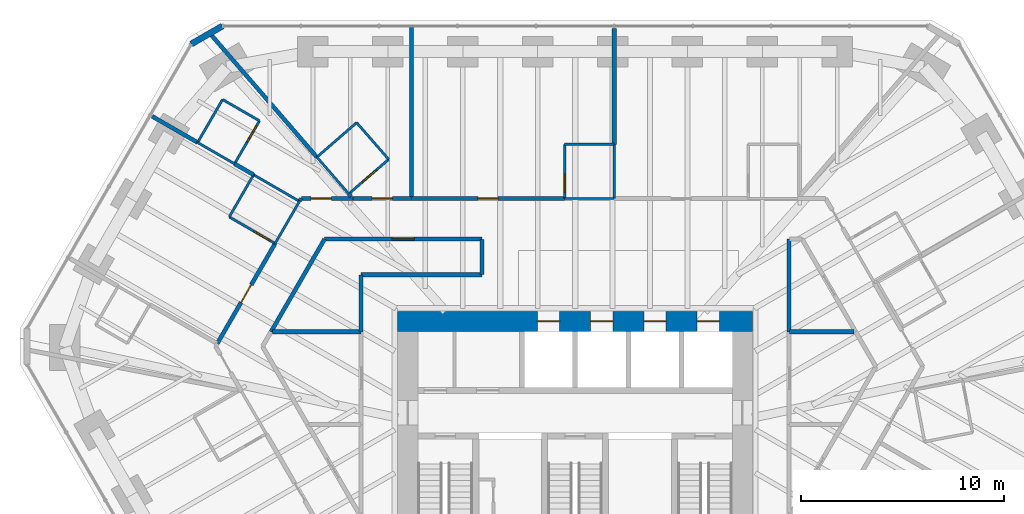
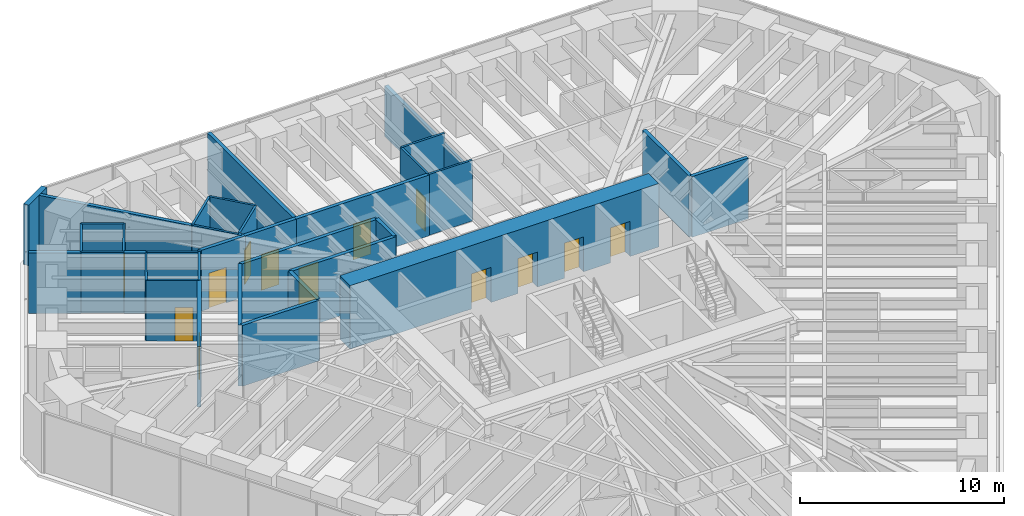
# One storey, part 14 of 16: 37 walls, 13 doors, 13 openings.
"""IFC4 building model written with IfcOpenShell, lengths in metres."""

import ifcopenshell
import ifcopenshell.guid

model = None  # the IFC model being written
_history = None  # IfcOwnerHistory: only IFC2X3 demands one
_inside = {}  # id of a spatial element -> (the spatial element, [elements in it])
_under = {}  # id of a project, library or spatial element -> (it, [spatial elements below it])
_declared = {}  # id of a project -> (the project, [libraries it declares])
_typed = {}  # id of a type object -> (the type object, [elements of that type])
_made_of = {}  # id of a material, layer set ... -> (it, [elements and type objects made of it])


def new_model(schema):
    """Start an empty IFC model of exactly this schema.

    Asked for "IFC4X3", IfcOpenShell would pick the latest addendum, in which some entities
    have other attributes; the version numbers below select the first issue.
    IFC2X3 requires an IfcOwnerHistory on every rooted entity: one is made here for all.
    """
    global model, _history
    if schema == "IFC4X3":
        model = ifcopenshell.file(schema_version=(4, 3, 0, 0))
    else:
        model = ifcopenshell.file(schema=schema)
    _inside.clear()
    _under.clear()
    _declared.clear()
    _typed.clear()
    _made_of.clear()
    _history = None
    if model.schema == "IFC2X3":
        org = make("IfcOrganization", Name="unknown")
        user = make(
            "IfcPersonAndOrganization",
            ThePerson=make("IfcPerson", FamilyName="unknown"),
            TheOrganization=org,
        )
        app = make(
            "IfcApplication",
            ApplicationDeveloper=org,
            Version="unknown",
            ApplicationFullName="unknown",
            ApplicationIdentifier="unknown",
        )
        _history = make(
            "IfcOwnerHistory",
            OwningUser=user,
            OwningApplication=app,
            ChangeAction="ADDED",
            CreationDate=0,
        )
    return model


def make(cls, **values):
    """One entity of the class cls with the attributes given. An attribute that is None is left unset."""
    return model.create_entity(
        cls, **{name: value for name, value in values.items() if value is not None}
    )


def rooted(cls, **values):
    """An entity with a GlobalId (a new one), such as an element, a storey or a relation."""
    return make(cls, GlobalId=ifcopenshell.guid.new(), OwnerHistory=_history, **values)


def si_unit(unit_type, name, prefix=None):
    """IfcSIUnit, for example si_unit("LENGTHUNIT", "METRE", prefix="MILLI")."""
    return make("IfcSIUnit", UnitType=unit_type, Prefix=prefix, Name=name)


def assignment(units):
    """IfcUnitAssignment: the units of a project."""
    return None if units is None else make("IfcUnitAssignment", Units=units)


def point(xyz):
    """IfcCartesianPoint."""
    return None if xyz is None else make("IfcCartesianPoint", Coordinates=xyz)


def direction(xyz):
    """IfcDirection."""
    return None if xyz is None else make("IfcDirection", DirectionRatios=xyz)


def frame(location, z_axis=None, x_axis=None):
    """IfcAxis2Placement3D, a coordinate frame: its origin and axes. An axis left out is left unset."""
    return make(
        "IfcAxis2Placement3D",
        Location=point(location),
        Axis=direction(z_axis),
        RefDirection=direction(x_axis),
    )


def frame_2d(location, x_axis=None):
    """IfcAxis2Placement2D, a coordinate frame in the plane: its origin and x axis."""
    return make(
        "IfcAxis2Placement2D", Location=point(location), RefDirection=direction(x_axis)
    )


def origin():
    """The frame at (0, 0, 0) with its axes left unset."""
    return frame((0.0, 0.0, 0.0))


def place(relative_to, where):
    """IfcLocalPlacement: puts the frame where relative to a parent placement (None: the world)."""
    return make(
        "IfcLocalPlacement", PlacementRelTo=relative_to, RelativePlacement=where
    )


def context(
    kind, dimensions, precision=None, world=None, true_north=None, identifier=None
):
    """IfcGeometricRepresentationContext, for example the 3D "Model" context."""
    return make(
        "IfcGeometricRepresentationContext",
        ContextIdentifier=identifier,
        ContextType=kind,
        CoordinateSpaceDimension=dimensions,
        Precision=precision,
        WorldCoordinateSystem=world,
        TrueNorth=true_north,
    )


def subcontext(parent, identifier, kind, view, scale=None):
    """IfcGeometricRepresentationSubContext, for example "Body" below "Model"."""
    return make(
        "IfcGeometricRepresentationSubContext",
        ContextIdentifier=identifier,
        ContextType=kind,
        ParentContext=parent,
        TargetScale=scale,
        TargetView=view,
    )


def project(units=None, contexts=None):
    """IfcProject with its units and contexts."""
    return rooted(
        "IfcProject",
        Name="project",
        RepresentationContexts=contexts,
        UnitsInContext=assignment(units),
    )


def spatial(cls, under=None, at=None, **own):
    """A site, building, storey or space (cls), placed at a placement, below another one or the project."""
    s = rooted(cls, ObjectPlacement=at, **own)
    if under is not None:
        _under.setdefault(under.id(), (under, []))[1].append(s)
    return s


def profile(cls, at=None, kind="AREA", **sizes):
    """A parametric profile (cls). Its sizes go by their IFC names, for example OverallWidth=200.0."""
    return make(cls, ProfileType=kind, Position=at, **sizes)


def rectangle(**sizes):
    """IfcRectangleProfileDef."""
    return profile("IfcRectangleProfileDef", **sizes)


def extrude(swept, where, along, depth):
    """IfcExtrudedAreaSolid: the profile swept, set in the frame where, extruded along a direction by depth."""
    return make(
        "IfcExtrudedAreaSolid",
        SweptArea=swept,
        Position=where,
        ExtrudedDirection=direction(along),
        Depth=depth,
    )


def shape(context_of_items, identifier, shape_type, items):
    """IfcShapeRepresentation: the items that make up one representation, for example the "Body"."""
    return make(
        "IfcShapeRepresentation",
        ContextOfItems=context_of_items,
        RepresentationIdentifier=identifier,
        RepresentationType=shape_type,
        Items=items,
    )


def material(Name=None, Category=None):
    """IfcMaterial."""
    return make("IfcMaterial", Name=Name, Category=Category)


def layer(
    of_material, thickness, ventilated=None, Name=None, Category=None, Priority=None
):
    """IfcMaterialLayer: one layer of a wall or slab, of a material (None: an air gap)."""
    return make(
        "IfcMaterialLayer",
        Material=of_material,
        LayerThickness=thickness,
        IsVentilated=ventilated,
        Name=Name,
        Category=Category,
        Priority=Priority,
    )


def layer_set(layers, Name=None):
    """IfcMaterialLayerSet."""
    return make("IfcMaterialLayerSet", MaterialLayers=layers, LayerSetName=Name)


def made_of(thing, what):
    """Note that an element or type object is made of a material, layer set ...; save() writes the relation."""
    if what is not None:
        _made_of.setdefault(what.id(), (what, []))[1].append(thing)
    return thing


def type_object(cls, material=None, **own):
    """A type object (cls), such as IfcWallType, which elements share."""
    return made_of(rooted(cls, **own), material)


def element(
    cls,
    number,
    at=None,
    inside=None,
    cuts=None,
    type_object=None,
    material=None,
    context=None,
    identifier="Body",
    shape_type=None,
    held_by="IfcProductDefinitionShape",
    body=None,
    shapes=None,
    **own,
):
    """One element of the class cls, such as IfcWall. Its Tag is "e" and its number.

    at: its placement. inside: the storey or other place that contains it. cuts: it is an
    opening in that element (IfcRelVoidsElement). A single representation is given by context,
    identifier, shape_type and body (its items); several are given by shapes. held_by: the class
    of the entity that holds the representations. save() writes the other relations.
    """
    e = rooted(cls, Tag="e%d" % number, ObjectPlacement=at, **own)
    if body is not None:
        shapes = [shape(context, identifier, shape_type, body)]
    if shapes is not None:
        e.Representation = make(held_by, Representations=shapes)
    if inside is not None:
        _inside.setdefault(inside.id(), (inside, []))[1].append(e)
    if cuts is not None:
        rooted(
            "IfcRelVoidsElement", RelatingBuildingElement=cuts, RelatedOpeningElement=e
        )
    if type_object is not None:
        _typed.setdefault(type_object.id(), (type_object, []))[1].append(e)
    return made_of(e, material)


def fill(opening, filler):
    """IfcRelFillsElement: the door or window that sits in an opening."""
    return rooted(
        "IfcRelFillsElement",
        RelatingOpeningElement=opening,
        RelatedBuildingElement=filler,
    )


def aggregate(whole, parts):
    """IfcRelAggregates: a whole, such as a stair, and the parts it consists of."""
    return rooted("IfcRelAggregates", RelatingObject=whole, RelatedObjects=parts)


def save(model, path):
    """Write the relations noted so far, then the file.

    IfcRelAggregates (storeys below a building ...), IfcRelContainedInSpatialStructure (elements
    in a storey), IfcRelDefinesByType, IfcRelAssociatesMaterial and IfcRelDeclares: one each for
    every whole, place, type object, material and project.
    """
    for whole, parts in _under.values():
        aggregate(whole, parts)
    for where, things in _inside.values():
        rooted(
            "IfcRelContainedInSpatialStructure",
            RelatedElements=things,
            RelatingStructure=where,
        )
    for kind, things in _typed.values():
        rooted("IfcRelDefinesByType", RelatedObjects=things, RelatingType=kind)
    for what, things in _made_of.values():
        rooted("IfcRelAssociatesMaterial", RelatedObjects=things, RelatingMaterial=what)
    for by, libraries in _declared.values():
        rooted("IfcRelDeclares", RelatingContext=by, RelatedDefinitions=libraries)
    model.write(path)


model = new_model("IFC4")

# Units and contexts
model_context = context("Model", 3, precision=1e-05, world=origin(), true_north=direction((0.0, 1.0)))
body_context = subcontext(model_context, "Body", "Model", "MODEL_VIEW")
ifc_project = project(units=[si_unit("LENGTHUNIT", "METRE"), si_unit("AREAUNIT", "SQUARE_METRE"), si_unit("VOLUMEUNIT", "CUBIC_METRE"), si_unit("PLANEANGLEUNIT", "RADIAN"), si_unit("MASSUNIT", "GRAM", prefix="KILO")], contexts=[model_context])

# Site, building, storey
site_placement = place(None, origin())
site = spatial("IfcSite", under=ifc_project, at=site_placement, CompositionType="ELEMENT")
building_placement = place(site_placement, origin())
building = spatial("IfcBuilding", under=site, at=building_placement, Name="Sandreach Pilgrim Tower", CompositionType="ELEMENT")
storey_placement = place(building_placement, frame((0.0, 0.0, 209.800048828125)))
storey = spatial("IfcBuildingStorey", under=building, at=storey_placement, Name="L52", CompositionType="ELEMENT", Elevation=209.800048828125)

# Walls
ifc_material_1 = material(Name="Moisture-resistant gypsum board on steel studs", Category="steel")
ifc_layer_1 = layer(ifc_material_1, 0.1201171875)
ifc_layer_set_1 = layer_set([ifc_layer_1], Name="Bathroom partition 120")
wall_type_1 = type_object("IfcWallType", Name="Bathroom partition 120", PredefinedType="PARTITIONING", material=ifc_layer_set_1)
wall_1_placement = place(storey_placement, frame((-18.610107421875, 15.419921875, 0.0), z_axis=(0.0, 0.0, 1.0), x_axis=(0.86618365172, -0.499725806311, 0.0)))
element("IfcWall", 1, at=wall_1_placement, inside=storey, type_object=wall_type_1, Name="Bathroom partition L52-011", PredefinedType="PARTITIONING", context=body_context, shape_type="SweptSolid", body=[
    extrude(rectangle(XDim=2.101318359375, YDim=0.1201171875, at=frame_2d((1.05078125, 0.0))), origin(), (0.0, 0.0, 1.0), 3.639892578125),
])
wall_2_placement = place(storey_placement, frame((-17.3798828125, 17.5400390625, 0.0), z_axis=(0.0, 0.0, 1.0), x_axis=(-0.501888006485, -0.864932615264, 0.0)))
element("IfcWall", 2, at=wall_2_placement, inside=storey, type_object=wall_type_1, Name="Bathroom partition L52-016", PredefinedType="PARTITIONING", context=body_context, shape_type="SweptSolid", body=[
    extrude(rectangle(XDim=2.451171875, YDim=0.1201171875, at=frame_2d((1.2255859375, 0.0))), origin(), (0.0, 0.0, 1.0), 3.639892578125),
])

# Wall, opening, door
wall_3_placement = place(storey_placement, frame((-17.050048828125, 11.75, 0.0), z_axis=(0.0, 0.0, 1.0), x_axis=(0.865155281359, -0.50150407689, 0.0)))
wall_3 = element("IfcWall", 3, at=wall_3_placement, inside=storey, type_object=wall_type_1, Name="Bathroom partition L52-017", PredefinedType="PARTITIONING", context=body_context, shape_type="SweptSolid", body=[
    extrude(rectangle(XDim=2.6123046875, YDim=0.1201171875, at=frame_2d((1.30615234375, 0.0))), origin(), (0.0, 0.0, 1.0), 3.639892578125),
])
opening_1_placement = place(wall_3_placement, frame((1.412109375, 0.0, 0.0)))
opening_1 = element("IfcOpeningElement", 4, at=opening_1_placement, cuts=wall_3, Name="Opening D09-16B", PredefinedType="OPENING", context=body_context, shape_type="SweptSolid", body=[
    extrude(rectangle(XDim=0.89990234375, YDim=2.030029296875, at=frame_2d((0.449951171875, 1.01513671875))), frame((0.0, 0.06005859375, 0.0), z_axis=(0.0, -1.0, 0.0), x_axis=(1.0, 0.0, 0.0)), (0.0, 0.0, 1.0), 0.1201171875),
])
ifc_material_2 = material(Name="Timber door, steel frame", Category="steel")
door_type_1 = type_object("IfcDoorType", Name="Bathroom door", OperationType="SINGLE_SWING_LEFT", PredefinedType="DOOR", material=ifc_material_2)
door_1_placement = place(opening_1_placement, origin())
door_1 = element("IfcDoor", 5, at=door_1_placement, inside=storey, type_object=door_type_1, Name="Door 5216B", OperationType="SINGLE_SWING_RIGHT", OverallHeight=2.030029296875, OverallWidth=0.89990234375, PredefinedType="DOOR", context=body_context, shape_type="SweptSolid", body=[
    extrude(rectangle(XDim=0.89990234375, YDim=2.030029296875, at=frame_2d((0.449951171875, 1.01513671875))), frame((0.0, 0.02490234375, 0.0), z_axis=(0.0, -1.0, 0.0), x_axis=(1.0, 0.0, 0.0)), (0.0, 0.0, 1.0), 0.050048828125),
])
fill(opening_1, door_1)

wall_4_placement = place(storey_placement, frame((-16.7900390625, 14.3701171875, 0.0), z_axis=(0.0, 0.0, 1.0), x_axis=(0.501856726365, 0.86495076519, 0.0)))
wall_4 = element("IfcWall", 6, at=wall_4_placement, inside=storey, type_object=wall_type_1, Name="Bathroom partition L52-019", PredefinedType="PARTITIONING", context=body_context, shape_type="SweptSolid", body=[
    extrude(rectangle(XDim=2.450927734375, YDim=0.1201171875, at=frame_2d((1.2255859375, 0.0))), origin(), (0.0, 0.0, 1.0), 3.639892578125),
])
opening_2_placement = place(wall_4_placement, frame((1.2509765625, 0.0, 0.0)))
opening_2 = element("IfcOpeningElement", 7, at=opening_2_placement, cuts=wall_4, Name="Opening D09-17B", PredefinedType="OPENING", context=body_context, shape_type="SweptSolid", body=[
    extrude(rectangle(XDim=0.89990234375, YDim=2.030029296875, at=frame_2d((0.449951171875, 1.01513671875))), frame((0.0, 0.06005859375, 0.0), z_axis=(0.0, -1.0, 0.0), x_axis=(1.0, 0.0, 0.0)), (0.0, 0.0, 1.0), 0.1201171875),
])
door_2_placement = place(opening_2_placement, origin())
door_2 = element("IfcDoor", 8, at=door_2_placement, inside=storey, type_object=door_type_1, Name="Door 5217B", OperationType="SINGLE_SWING_RIGHT", OverallHeight=2.030029296875, OverallWidth=0.89990234375, PredefinedType="DOOR", context=body_context, shape_type="SweptSolid", body=[
    extrude(rectangle(XDim=0.89990234375, YDim=2.030029296875, at=frame_2d((0.449951171875, 1.01513671875))), frame((0.0, 0.02490234375, 0.0), z_axis=(0.0, -1.0, 0.0), x_axis=(1.0, 0.0, 0.0)), (0.0, 0.0, 1.0), 0.050048828125),
])
fill(opening_2, door_2)

# Walls
wall_5_placement = place(storey_placement, frame((-15.85009765625, 13.830078125, 0.0), z_axis=(0.0, 0.0, 1.0), x_axis=(-0.499693115345, -0.866202511239, 0.0)))
element("IfcWall", 9, at=wall_5_placement, inside=storey, type_object=wall_type_1, Name="Bathroom partition L52-023", PredefinedType="PARTITIONING", context=body_context, shape_type="SweptSolid", body=[
    extrude(rectangle(XDim=2.4013671875, YDim=0.1201171875, at=frame_2d((1.20068359375, 0.0))), origin(), (0.0, 0.0, 1.0), 3.639892578125),
])
wall_6_placement = place(storey_placement, frame((-15.85009765625, 13.830078125, 0.0), z_axis=(0.0, 0.0, 1.0), x_axis=(0.865155281359, -0.50150407689, 0.0)))
element("IfcWall", 10, at=wall_6_placement, inside=storey, type_object=wall_type_1, Name="Bathroom partition L52-024", PredefinedType="PARTITIONING", context=body_context, shape_type="SweptSolid", body=[
    extrude(rectangle(XDim=2.6123046875, YDim=0.1201171875, at=frame_2d((1.30615234375, 0.0))), origin(), (0.0, 0.0, 1.0), 3.639892578125),
])
wall_7_placement = place(storey_placement, frame((-15.56005859375, 16.489990234375, 0.0), z_axis=(0.0, 0.0, 1.0), x_axis=(-0.86618365172, 0.499725806311, 0.0)))
element("IfcWall", 11, at=wall_7_placement, inside=storey, type_object=wall_type_1, Name="Bathroom partition L52-025", PredefinedType="PARTITIONING", context=body_context, shape_type="SweptSolid", body=[
    extrude(rectangle(XDim=2.101318359375, YDim=0.1201171875, at=frame_2d((1.05078125, 0.0))), origin(), (0.0, 0.0, 1.0), 3.639892578125),
])
wall_8_placement = place(storey_placement, frame((-14.7919921875, 10.441162109375, 0.0), z_axis=(0.0, 0.0, 1.0), x_axis=(0.501340276177, 0.865250210912, 0.0)))
element("IfcWall", 12, at=wall_8_placement, inside=storey, type_object=wall_type_1, Name="Bathroom partition L52-030", PredefinedType="PARTITIONING", context=body_context, shape_type="SweptSolid", body=[
    extrude(rectangle(XDim=2.437255859375, YDim=0.1201171875, at=frame_2d((1.21875, 0.0))), origin(), (0.0, 0.0, 1.0), 3.639892578125),
])
wall_9_placement = place(storey_placement, frame((-12.72998046875, 14.699951171875, 0.0), z_axis=(0.0, 0.0, 1.0), x_axis=(0.655302876176, -0.755366229372, 0.0)))
element("IfcWall", 13, at=wall_9_placement, inside=storey, type_object=wall_type_1, Name="Bathroom partition L52-037", PredefinedType="PARTITIONING", context=body_context, shape_type="SweptSolid", body=[
    extrude(rectangle(XDim=2.39599609375, YDim=0.1201171875, at=frame_2d((1.197998046875, 0.0))), origin(), (0.0, 0.0, 1.0), 3.639892578125),
])

# Wall, opening, door
wall_10_placement = place(storey_placement, frame((-11.159912109375, 12.889892578125, 0.0), z_axis=(0.0, 0.0, 1.0), x_axis=(0.757040252764, 0.65336823897, 0.0)))
wall_10 = element("IfcWall", 14, at=wall_10_placement, inside=storey, type_object=wall_type_1, Name="Bathroom partition L52-041", PredefinedType="PARTITIONING", context=body_context, shape_type="SweptSolid", body=[
    extrude(rectangle(XDim=2.602294921875, YDim=0.1201171875, at=frame_2d((1.30126953125, 0.0))), origin(), (0.0, 0.0, 1.0), 3.639892578125),
])
opening_3_placement = place(wall_10_placement, frame((0.89990234375, 0.0, 0.0)))
opening_3 = element("IfcOpeningElement", 15, at=opening_3_placement, cuts=wall_10, Name="Opening D09-01B", PredefinedType="OPENING", context=body_context, shape_type="SweptSolid", body=[
    extrude(rectangle(XDim=0.89990234375, YDim=2.030029296875, at=frame_2d((0.449951171875, 1.01513671875))), frame((0.0, 0.06005859375, 0.0), z_axis=(0.0, -1.0, 0.0), x_axis=(1.0, 0.0, 0.0)), (0.0, 0.0, 1.0), 0.1201171875),
])
door_3_placement = place(opening_3_placement, origin())
door_3 = element("IfcDoor", 16, at=door_3_placement, inside=storey, type_object=door_type_1, Name="Door 5201B", OperationType="SINGLE_SWING_RIGHT", OverallHeight=2.030029296875, OverallWidth=0.89990234375, PredefinedType="DOOR", context=body_context, shape_type="SweptSolid", body=[
    extrude(rectangle(XDim=0.89990234375, YDim=2.030029296875, at=frame_2d((0.449951171875, 1.01513671875))), frame((0.0, 0.02490234375, 0.0), z_axis=(0.0, -1.0, 0.0), x_axis=(1.0, 0.0, 0.0)), (0.0, 0.0, 1.0), 0.050048828125),
])
fill(opening_3, door_3)

# Walls
wall_11_placement = place(storey_placement, frame((-10.77001953125, 16.39990234375, 0.0), z_axis=(0.0, 0.0, 1.0), x_axis=(-0.755437535555, -0.655220672655, 0.0)))
element("IfcWall", 17, at=wall_11_placement, inside=storey, type_object=wall_type_1, Name="Bathroom partition L52-043", PredefinedType="PARTITIONING", context=body_context, shape_type="SweptSolid", body=[
    extrude(rectangle(XDim=2.594482421875, YDim=0.1201171875, at=frame_2d((1.29736328125, 0.0))), origin(), (0.0, 0.0, 1.0), 3.639892578125),
])
wall_12_placement = place(storey_placement, frame((-9.18994140625, 14.590087890625, 0.0), z_axis=(0.0, 0.0, 1.0), x_axis=(-0.65767687105, 0.75330016148, 0.0)))
element("IfcWall", 18, at=wall_12_placement, inside=storey, type_object=wall_type_1, Name="Bathroom partition L52-050", PredefinedType="PARTITIONING", context=body_context, shape_type="SweptSolid", body=[
    extrude(rectangle(XDim=2.402587890625, YDim=0.1201171875, at=frame_2d((1.201171875, 0.0))), origin(), (0.0, 0.0, 1.0), 3.639892578125),
])

# Wall, opening, door
wall_13_placement = place(storey_placement, frame((-0.52001953125, 15.330078125, 0.0), z_axis=(0.0, 0.0, 1.0), x_axis=(0.0, -1.0, 0.0)))
wall_13 = element("IfcWall", 19, at=wall_13_placement, inside=storey, type_object=wall_type_1, Name="Bathroom partition L52-081", PredefinedType="PARTITIONING", context=body_context, shape_type="SweptSolid", body=[
    extrude(rectangle(XDim=2.670166015625, YDim=0.1201171875, at=frame_2d((1.3349609375, 0.0))), origin(), (0.0, 0.0, 1.0), 3.639892578125),
])
opening_4_placement = place(wall_13_placement, frame((1.469970703125, 0.0, 0.0)))
opening_4 = element("IfcOpeningElement", 20, at=opening_4_placement, cuts=wall_13, Name="Opening D09-02B", PredefinedType="OPENING", context=body_context, shape_type="SweptSolid", body=[
    extrude(rectangle(XDim=0.89990234375, YDim=2.030029296875, at=frame_2d((0.449951171875, 1.01513671875))), frame((0.0, 0.06005859375, 0.0), z_axis=(0.0, -1.0, 0.0), x_axis=(1.0, 0.0, 0.0)), (0.0, 0.0, 1.0), 0.1201171875),
])
door_4_placement = place(opening_4_placement, origin())
door_4 = element("IfcDoor", 21, at=door_4_placement, inside=storey, type_object=door_type_1, Name="Door 5202B", OperationType="SINGLE_SWING_RIGHT", OverallHeight=2.030029296875, OverallWidth=0.89990234375, PredefinedType="DOOR", context=body_context, shape_type="SweptSolid", body=[
    extrude(rectangle(XDim=0.89990234375, YDim=2.030029296875, at=frame_2d((0.449951171875, 1.01513671875))), frame((0.0, 0.02490234375, 0.0), z_axis=(0.0, -1.0, 0.0), x_axis=(1.0, 0.0, 0.0)), (0.0, 0.0, 1.0), 0.050048828125),
])
fill(opening_4, door_4)

# Walls
for number, where, z_axis, x_axis, name in (
    (22, (1.929931640625, 12.659912109375, 0.0), (0.0, 0.0, 1.0), (-1.0, 0.0, 0.0), "Bathroom partition L52-084"),
    (23, (1.929931640625, 15.330078125, 0.0), (0.0, 0.0, 1.0), (-1.0, 0.0, 0.0), "Bathroom partition L52-085"),
):
    element("IfcWall", number, at=place(storey_placement, frame(where, z_axis=z_axis, x_axis=x_axis)), inside=storey, type_object=wall_type_1, Name=name, PredefinedType="PARTITIONING", context=body_context, shape_type="SweptSolid", body=[
        extrude(rectangle(XDim=2.449951171875, YDim=0.1201171875, at=frame_2d((1.22509765625, 0.0))), origin(), (0.0, 0.0, 1.0), 3.639892578125),
    ])
wall_14_placement = place(storey_placement, frame((1.929931640625, 15.330078125, 0.0), z_axis=(0.0, 0.0, 1.0), x_axis=(0.0, -1.0, 0.0)))
element("IfcWall", 24, at=wall_14_placement, inside=storey, type_object=wall_type_1, Name="Bathroom partition L52-086", PredefinedType="PARTITIONING", context=body_context, shape_type="SweptSolid", body=[
    extrude(rectangle(XDim=2.670166015625, YDim=0.1201171875, at=frame_2d((1.3349609375, 0.0))), origin(), (0.0, 0.0, 1.0), 3.022705078125),
])

# Wall, openings, doors
ifc_material_3 = material(Name="Concrete 10000 psi", Category="concrete")
ifc_layer_2 = layer(ifc_material_3, 1.0)
ifc_layer_set_2 = layer_set([ifc_layer_2], Name="Core wall 1000")
wall_type_2 = type_object("IfcWallType", Name="Core wall 1000", PredefinedType="SHEAR", material=ifc_layer_set_2)
wall_15_placement = place(storey_placement, frame((-8.75, 6.60009765625, 0.0), z_axis=(0.0, 0.0, 1.0), x_axis=(1.0, 0.0, 0.0)))
wall_15 = element("IfcWall", 25, at=wall_15_placement, inside=storey, type_object=wall_type_2, Name="Core wall N L52", PredefinedType="SHEAR", context=body_context, shape_type="SweptSolid", body=[
    extrude(rectangle(XDim=17.5, YDim=1.0, at=frame_2d((8.75, 0.0))), origin(), (0.0, 0.0, 1.0), 3.800048828125),
])
opening_5_placement = place(wall_15_placement, frame((6.887451171875, 0.0, 0.0)))
opening_5 = element("IfcOpeningElement", 26, at=opening_5_placement, cuts=wall_15, Name="Opening LD11", PredefinedType="OPENING", context=body_context, shape_type="SweptSolid", body=[
    extrude(rectangle(XDim=1.10009765625, YDim=2.10009765625, at=frame_2d((0.550048828125, 1.050048828125))), frame((0.0, 0.5, 0.0), z_axis=(0.0, -1.0, 0.0), x_axis=(1.0, 0.0, 0.0)), (0.0, 0.0, 1.0), 1.0),
])
opening_6_placement = place(wall_15_placement, frame((9.512451171875, 0.0, 0.0)))
opening_6 = element("IfcOpeningElement", 27, at=opening_6_placement, cuts=wall_15, Name="Opening LD11", PredefinedType="OPENING", context=body_context, shape_type="SweptSolid", body=[
    extrude(rectangle(XDim=1.10009765625, YDim=2.10009765625, at=frame_2d((0.550048828125, 1.050048828125))), frame((0.0, 0.5, 0.0), z_axis=(0.0, -1.0, 0.0), x_axis=(1.0, 0.0, 0.0)), (0.0, 0.0, 1.0), 1.0),
])
opening_7_placement = place(wall_15_placement, frame((12.137451171875, 0.0, 0.0)))
opening_7 = element("IfcOpeningElement", 28, at=opening_7_placement, cuts=wall_15, Name="Opening LD11", PredefinedType="OPENING", context=body_context, shape_type="SweptSolid", body=[
    extrude(rectangle(XDim=1.10009765625, YDim=2.10009765625, at=frame_2d((0.550048828125, 1.050048828125))), frame((0.0, 0.5, 0.0), z_axis=(0.0, -1.0, 0.0), x_axis=(1.0, 0.0, 0.0)), (0.0, 0.0, 1.0), 1.0),
])
opening_8_placement = place(wall_15_placement, frame((14.762451171875, 0.0, 0.0)))
opening_8 = element("IfcOpeningElement", 29, at=opening_8_placement, cuts=wall_15, Name="Opening LD11", PredefinedType="OPENING", context=body_context, shape_type="SweptSolid", body=[
    extrude(rectangle(XDim=1.10009765625, YDim=2.10009765625, at=frame_2d((0.550048828125, 1.050048828125))), frame((0.0, 0.5, 0.0), z_axis=(0.0, -1.0, 0.0), x_axis=(1.0, 0.0, 0.0)), (0.0, 0.0, 1.0), 1.0),
])
ifc_material_4 = material(Name="Steel door and frame", Category="steel")
door_type_2 = type_object("IfcDoorType", Name="Lift landing door", OperationType="DOUBLE_DOOR_SLIDING", PredefinedType="DOOR", material=ifc_material_4)
door_5_placement = place(opening_5_placement, origin())
door_5 = element("IfcDoor", 30, at=door_5_placement, inside=storey, type_object=door_type_2, Name="Lift landing door Z3A L52", OperationType="DOUBLE_DOOR_SLIDING", OverallHeight=2.10009765625, OverallWidth=1.10009765625, PredefinedType="DOOR", context=body_context, shape_type="SweptSolid", body=[
    extrude(rectangle(XDim=1.10009765625, YDim=2.10009765625, at=frame_2d((0.550048828125, 1.050048828125))), frame((0.0, 0.02490234375, 0.0), z_axis=(0.0, -1.0, 0.0), x_axis=(1.0, 0.0, 0.0)), (0.0, 0.0, 1.0), 0.050048828125),
])
fill(opening_5, door_5)
door_6_placement = place(opening_6_placement, origin())
door_6 = element("IfcDoor", 31, at=door_6_placement, inside=storey, type_object=door_type_2, Name="Lift landing door Z3B L52", OperationType="DOUBLE_DOOR_SLIDING", OverallHeight=2.10009765625, OverallWidth=1.10009765625, PredefinedType="DOOR", context=body_context, shape_type="SweptSolid", body=[
    extrude(rectangle(XDim=1.10009765625, YDim=2.10009765625, at=frame_2d((0.550048828125, 1.050048828125))), frame((0.0, 0.02490234375, 0.0), z_axis=(0.0, -1.0, 0.0), x_axis=(1.0, 0.0, 0.0)), (0.0, 0.0, 1.0), 0.050048828125),
])
fill(opening_6, door_6)
door_7_placement = place(opening_7_placement, origin())
door_7 = element("IfcDoor", 32, at=door_7_placement, inside=storey, type_object=door_type_2, Name="Lift landing door Z3C L52", OperationType="DOUBLE_DOOR_SLIDING", OverallHeight=2.10009765625, OverallWidth=1.10009765625, PredefinedType="DOOR", context=body_context, shape_type="SweptSolid", body=[
    extrude(rectangle(XDim=1.10009765625, YDim=2.10009765625, at=frame_2d((0.550048828125, 1.050048828125))), frame((0.0, 0.02490234375, 0.0), z_axis=(0.0, -1.0, 0.0), x_axis=(1.0, 0.0, 0.0)), (0.0, 0.0, 1.0), 0.050048828125),
])
fill(opening_7, door_7)
door_8_placement = place(opening_8_placement, origin())
door_8 = element("IfcDoor", 33, at=door_8_placement, inside=storey, type_object=door_type_2, Name="Lift landing door Z3D L52", OperationType="DOUBLE_DOOR_SLIDING", OverallHeight=2.10009765625, OverallWidth=1.10009765625, PredefinedType="DOOR", context=body_context, shape_type="SweptSolid", body=[
    extrude(rectangle(XDim=1.10009765625, YDim=2.10009765625, at=frame_2d((0.550048828125, 1.050048828125))), frame((0.0, 0.02490234375, 0.0), z_axis=(0.0, -1.0, 0.0), x_axis=(1.0, 0.0, 0.0)), (0.0, 0.0, 1.0), 0.050048828125),
])
fill(opening_8, door_8)

# Wall, opening, door
ifc_material_5 = material(Name="Gypsum board on steel studs, two layers each side", Category="steel")
ifc_layer_3 = layer(ifc_material_5, 0.199951171875)
ifc_layer_set_3 = layer_set([ifc_layer_3], Name="Corridor wall 200")
wall_type_3 = type_object("IfcWallType", Name="Corridor wall 200", PredefinedType="PARTITIONING", material=ifc_layer_set_3)
wall_16_placement = place(storey_placement, frame((-17.639892578125, 5.510009765625, 0.0), z_axis=(0.0, 0.0, 1.0), x_axis=(0.500468304441, 0.865754859212, 0.0)))
wall_16 = element("IfcWall", 34, at=wall_16_placement, inside=storey, type_object=wall_type_3, Name="Corridor wall L52-013", PredefinedType="PARTITIONING", context=body_context, shape_type="SweptSolid", body=[
    extrude(rectangle(XDim=5.6943359375, YDim=0.199951171875, at=frame_2d((2.84716796875, 0.0))), origin(), (0.0, 0.0, 1.0), 3.639892578125),
])
opening_9_placement = place(wall_16_placement, frame((2.347412109375, 0.0, 0.0)))
opening_9 = element("IfcOpeningElement", 35, at=opening_9_placement, cuts=wall_16, Name="Opening D10-16", PredefinedType="OPENING", context=body_context, shape_type="SweptSolid", body=[
    extrude(rectangle(XDim=1.0, YDim=2.1298828125, at=frame_2d((0.5, 1.06494140625))), frame((0.0, 0.10009765625, 0.0), z_axis=(0.0, -1.0, 0.0), x_axis=(1.0, 0.0, 0.0)), (0.0, 0.0, 1.0), 0.199951171875),
])
ifc_material_6 = material(Name="Steel door and frame", Category="steel")
door_type_3 = type_object("IfcDoorType", Name="Guest room entry door", OperationType="SINGLE_SWING_LEFT", PredefinedType="DOOR", material=ifc_material_6)
door_9_placement = place(opening_9_placement, origin())
door_9 = element("IfcDoor", 36, at=door_9_placement, inside=storey, type_object=door_type_3, Name="Door 5216", OperationType="SINGLE_SWING_LEFT", OverallHeight=2.1298828125, OverallWidth=1.0, PredefinedType="DOOR", context=body_context, shape_type="SweptSolid", body=[
    extrude(rectangle(XDim=1.0, YDim=2.1298828125, at=frame_2d((0.5, 1.06494140625))), frame((0.0, 0.02490234375, 0.0), z_axis=(0.0, -1.0, 0.0), x_axis=(1.0, 0.0, 0.0)), (0.0, 0.0, 1.0), 0.050048828125),
])
fill(opening_9, door_9)

# Walls
wall_17_placement = place(storey_placement, frame((-14.989990234375, 6.090087890625, 0.0), z_axis=(0.0, 0.0, 1.0), x_axis=(0.500213626659, 0.86590203124, 0.0)))
element("IfcWall", 37, at=wall_17_placement, inside=storey, type_object=wall_type_3, Name="Corridor wall L52-028", PredefinedType="PARTITIONING", context=body_context, shape_type="SweptSolid", body=[
    extrude(rectangle(XDim=5.277587890625, YDim=0.199951171875, at=frame_2d((2.638671875, 0.0))), origin(), (0.0, 0.0, 1.0), 3.639892578125),
])
wall_18_placement = place(storey_placement, frame((-13.5, 12.659912109375, 0.0), z_axis=(0.0, 0.0, 1.0), x_axis=(-0.537723852201, -0.843121022614, 0.0)))
element("IfcWall", 38, at=wall_18_placement, inside=storey, type_object=wall_type_3, Name="Corridor wall L52-034", PredefinedType="PARTITIONING", context=body_context, shape_type="SweptSolid", body=[
    extrude(rectangle(XDim=0.13037109375, YDim=0.199951171875, at=frame_2d((0.065185546875, 0.0))), origin(), (0.0, 0.0, 1.0), 3.639892578125),
])

# Wall, opening, door
wall_19_placement = place(storey_placement, frame((-12.35009765625, 10.659912109375, 0.0), z_axis=(0.0, 0.0, 1.0), x_axis=(1.0, 0.0, 0.0)))
wall_19 = element("IfcWall", 39, at=wall_19_placement, inside=storey, type_object=wall_type_3, Name="Corridor wall L52-038", PredefinedType="PARTITIONING", context=body_context, shape_type="SweptSolid", body=[
    extrude(rectangle(XDim=7.75, YDim=0.199951171875, at=frame_2d((3.875, 0.0))), origin(), (0.0, 0.0, 1.0), 3.639892578125),
])
opening_10_placement = place(wall_19_placement, frame((3.324951171875, 0.0, 0.0)))
opening_10 = element("IfcOpeningElement", 40, at=opening_10_placement, cuts=wall_19, Name="Opening D11H-M03", PredefinedType="OPENING", context=body_context, shape_type="SweptSolid", body=[
    extrude(rectangle(XDim=1.10009765625, YDim=2.199951171875, at=frame_2d((0.550048828125, 1.10009765625))), frame((0.0, 0.10009765625, 0.0), z_axis=(0.0, -1.0, 0.0), x_axis=(1.0, 0.0, 0.0)), (0.0, 0.0, 1.0), 0.199951171875),
])
ifc_material_7 = material(Name="Steel door and frame", Category="steel")
door_type_4 = type_object("IfcDoorType", Name="Back of house door", OperationType="SINGLE_SWING_LEFT", PredefinedType="DOOR", material=ifc_material_7)
door_10_placement = place(opening_10_placement, origin())
door_10 = element("IfcDoor", 41, at=door_10_placement, inside=storey, type_object=door_type_4, Name="Door 52M03", OperationType="SINGLE_SWING_LEFT", OverallHeight=2.199951171875, OverallWidth=1.10009765625, PredefinedType="DOOR", context=body_context, shape_type="SweptSolid", body=[
    extrude(rectangle(XDim=1.10009765625, YDim=2.199951171875, at=frame_2d((0.550048828125, 1.10009765625))), frame((0.0, 0.02490234375, 0.0), z_axis=(0.0, -1.0, 0.0), x_axis=(1.0, 0.0, 0.0)), (0.0, 0.0, 1.0), 0.050048828125),
])
fill(opening_10, door_10)

wall_20_placement = place(storey_placement, frame((-10.9599609375, 12.659912109375, 0.0), z_axis=(0.0, 0.0, 1.0), x_axis=(-1.0, 0.0, 0.0)))
wall_20 = element("IfcWall", 42, at=wall_20_placement, inside=storey, type_object=wall_type_3, Name="Corridor wall L52-042", PredefinedType="PARTITIONING", context=body_context, shape_type="SweptSolid", body=[
    extrude(rectangle(XDim=2.5400390625, YDim=0.199951171875, at=frame_2d((1.27001953125, 0.0))), origin(), (0.0, 0.0, 1.0), 3.639892578125),
])
opening_11_placement = place(wall_20_placement, frame((1.050048828125, 0.0, 0.0)))
opening_11 = element("IfcOpeningElement", 43, at=opening_11_placement, cuts=wall_20, Name="Opening D10-17", PredefinedType="OPENING", context=body_context, shape_type="SweptSolid", body=[
    extrude(rectangle(XDim=1.0, YDim=2.1298828125, at=frame_2d((0.5, 1.06494140625))), frame((0.0, 0.10009765625, 0.0), z_axis=(0.0, -1.0, 0.0), x_axis=(1.0, 0.0, 0.0)), (0.0, 0.0, 1.0), 0.199951171875),
])
door_11_placement = place(opening_11_placement, origin())
door_11 = element("IfcDoor", 44, at=door_11_placement, inside=storey, type_object=door_type_3, Name="Door 5217", OperationType="SINGLE_SWING_RIGHT", OverallHeight=2.1298828125, OverallWidth=1.0, PredefinedType="DOOR", context=body_context, shape_type="SweptSolid", body=[
    extrude(rectangle(XDim=1.0, YDim=2.1298828125, at=frame_2d((0.5, 1.06494140625))), frame((0.0, 0.02490234375, 0.0), z_axis=(0.0, -1.0, 0.0), x_axis=(1.0, 0.0, 0.0)), (0.0, 0.0, 1.0), 0.050048828125),
])
fill(opening_11, door_11)

# Wall
wall_21_placement = place(storey_placement, frame((-10.550048828125, 8.889892578125, 0.0), z_axis=(0.0, 0.0, 1.0), x_axis=(0.0, -1.0, 0.0)))
element("IfcWall", 45, at=wall_21_placement, inside=storey, type_object=wall_type_3, Name="Corridor wall L52-049", PredefinedType="PARTITIONING", context=body_context, shape_type="SweptSolid", body=[
    extrude(rectangle(XDim=2.7998046875, YDim=0.199951171875, at=frame_2d((1.39990234375, 0.0))), origin(), (0.0, 0.0, 1.0), 3.639892578125),
])

# Wall, opening, door
wall_22_placement = place(storey_placement, frame((-8.06005859375, 12.659912109375, 0.0), z_axis=(0.0, 0.0, 1.0), x_axis=(-1.0, 0.0, 0.0)))
wall_22 = element("IfcWall", 46, at=wall_22_placement, inside=storey, type_object=wall_type_3, Name="Corridor wall L52-053", PredefinedType="PARTITIONING", context=body_context, shape_type="SweptSolid", body=[
    extrude(rectangle(XDim=2.89990234375, YDim=0.199951171875, at=frame_2d((1.449951171875, 0.0))), origin(), (0.0, 0.0, 1.0), 3.639892578125),
])
opening_12_placement = place(wall_22_placement, frame((0.949951171875, 0.0, 0.0)))
opening_12 = element("IfcOpeningElement", 47, at=opening_12_placement, cuts=wall_22, Name="Opening D10-01", PredefinedType="OPENING", context=body_context, shape_type="SweptSolid", body=[
    extrude(rectangle(XDim=1.0, YDim=2.1298828125, at=frame_2d((0.5, 1.06494140625))), frame((0.0, 0.10009765625, 0.0), z_axis=(0.0, -1.0, 0.0), x_axis=(1.0, 0.0, 0.0)), (0.0, 0.0, 1.0), 0.199951171875),
])
door_12_placement = place(opening_12_placement, origin())
door_12 = element("IfcDoor", 48, at=door_12_placement, inside=storey, type_object=door_type_3, Name="Door 5201", OperationType="SINGLE_SWING_LEFT", OverallHeight=2.1298828125, OverallWidth=1.0, PredefinedType="DOOR", context=body_context, shape_type="SweptSolid", body=[
    extrude(rectangle(XDim=1.0, YDim=2.1298828125, at=frame_2d((0.5, 1.06494140625))), frame((0.0, 0.02490234375, 0.0), z_axis=(0.0, -1.0, 0.0), x_axis=(1.0, 0.0, 0.0)), (0.0, 0.0, 1.0), 0.050048828125),
])
fill(opening_12, door_12)

# Walls
wall_23_placement = place(storey_placement, frame((-4.60009765625, 8.89990234375, 0.0), z_axis=(0.0, 0.0, 1.0), x_axis=(-1.0, 0.0, 0.0)))
element("IfcWall", 49, at=wall_23_placement, inside=storey, type_object=wall_type_3, Name="Corridor wall L52-063", PredefinedType="PARTITIONING", context=body_context, shape_type="SweptSolid", body=[
    extrude(rectangle(XDim=5.949951171875, YDim=0.199951171875, at=frame_2d((2.97509765625, 0.0))), origin(), (0.0, 0.0, 1.0), 3.639892578125),
])
wall_24_placement = place(storey_placement, frame((-4.60009765625, 10.64990234375, 0.0), z_axis=(0.0, 0.0, 1.0), x_axis=(0.0, -1.0, 0.0)))
element("IfcWall", 50, at=wall_24_placement, inside=storey, type_object=wall_type_3, Name="Corridor wall L52-064", PredefinedType="PARTITIONING", context=body_context, shape_type="SweptSolid", body=[
    extrude(rectangle(XDim=1.739990234375, YDim=0.199951171875, at=frame_2d((0.8701171875, 0.0))), origin(), (0.0, 0.0, 1.0), 3.639892578125),
])

# Wall, opening, door
wall_25_placement = place(storey_placement, frame((-0.52001953125, 12.659912109375, 0.0), z_axis=(0.0, 0.0, 1.0), x_axis=(-1.0, 0.0, 0.0)))
wall_25 = element("IfcWall", 51, at=wall_25_placement, inside=storey, type_object=wall_type_3, Name="Corridor wall L52-080", PredefinedType="PARTITIONING", context=body_context, shape_type="SweptSolid", body=[
    extrude(rectangle(XDim=7.5400390625, YDim=0.199951171875, at=frame_2d((3.77001953125, 0.0))), origin(), (0.0, 0.0, 1.0), 3.639892578125),
])
opening_13_placement = place(wall_25_placement, frame((3.27001953125, 0.0, 0.0)))
opening_13 = element("IfcOpeningElement", 52, at=opening_13_placement, cuts=wall_25, Name="Opening D10-02", PredefinedType="OPENING", context=body_context, shape_type="SweptSolid", body=[
    extrude(rectangle(XDim=1.0, YDim=2.1298828125, at=frame_2d((0.5, 1.06494140625))), frame((0.0, 0.10009765625, 0.0), z_axis=(0.0, -1.0, 0.0), x_axis=(1.0, 0.0, 0.0)), (0.0, 0.0, 1.0), 0.199951171875),
])
door_13_placement = place(opening_13_placement, origin())
door_13 = element("IfcDoor", 53, at=door_13_placement, inside=storey, type_object=door_type_3, Name="Door 5202", OperationType="SINGLE_SWING_LEFT", OverallHeight=2.1298828125, OverallWidth=1.0, PredefinedType="DOOR", context=body_context, shape_type="SweptSolid", body=[
    extrude(rectangle(XDim=1.0, YDim=2.1298828125, at=frame_2d((0.5, 1.06494140625))), frame((0.0, 0.02490234375, 0.0), z_axis=(0.0, -1.0, 0.0), x_axis=(1.0, 0.0, 0.0)), (0.0, 0.0, 1.0), 0.050048828125),
])
fill(opening_13, door_13)

# Walls
wall_26_placement = place(storey_placement, frame((10.550048828125, 6.090087890625, 0.0), z_axis=(0.0, 0.0, 1.0), x_axis=(0.0, 1.0, 0.0)))
element("IfcWall", 54, at=wall_26_placement, inside=storey, type_object=wall_type_3, Name="Corridor wall L52-109", PredefinedType="PARTITIONING", context=body_context, shape_type="SweptSolid", body=[
    extrude(rectangle(XDim=4.56982421875, YDim=0.199951171875, at=frame_2d((2.284912109375, 0.0))), origin(), (0.0, 0.0, 1.0), 3.639892578125),
])
ifc_material_8 = material(Name="Double steel stud acoustic wall, gypsum board", Category="steel")
ifc_layer_4 = layer(ifc_material_8, 0.199951171875)
ifc_layer_set_4 = layer_set([ifc_layer_4], Name="Party wall 200")
wall_type_4 = type_object("IfcWallType", Name="Party wall 200", PredefinedType="PARTITIONING", material=ifc_layer_set_4)
wall_27_placement = place(storey_placement, frame((-20.845947265625, 16.7099609375, 0.0), z_axis=(0.0, 0.0, 1.0), x_axis=(0.866163541035, -0.499760662899, 0.0)))
element("IfcWall", 55, at=wall_27_placement, inside=storey, type_object=wall_type_4, Name="Party wall L52-008", PredefinedType="PARTITIONING", context=body_context, shape_type="SweptSolid", body=[
    extrude(rectangle(XDim=2.581298828125, YDim=0.199951171875, at=frame_2d((1.29052734375, 0.0))), origin(), (0.0, 0.0, 1.0), 3.639892578125),
])
wall_28_placement = place(storey_placement, frame((-18.020263671875, 20.8173828125, 0.0), z_axis=(0.0, 0.0, 1.0), x_axis=(0.654118793629, -0.756391832201, 0.0)))
element("IfcWall", 56, at=wall_28_placement, inside=storey, type_object=wall_type_4, Name="Party wall L52-012", PredefinedType="PARTITIONING", context=body_context, shape_type="SweptSolid", body=[
    extrude(rectangle(XDim=8.087646484375, YDim=0.199951171875, at=frame_2d((4.0439453125, 0.0))), origin(), (0.0, 0.0, 1.0), 3.639892578125),
])
wall_29_placement = place(storey_placement, frame((-16.7900390625, 14.3701171875, 0.0), z_axis=(0.0, 0.0, 1.0), x_axis=(0.867132442133, -0.498077632303, 0.0)))
element("IfcWall", 57, at=wall_29_placement, inside=storey, type_object=wall_type_4, Name="Party wall L52-018", PredefinedType="PARTITIONING", context=body_context, shape_type="SweptSolid", body=[
    extrude(rectangle(XDim=1.084228515625, YDim=0.199951171875, at=frame_2d((0.5419921875, 0.0))), origin(), (0.0, 0.0, 1.0), 3.639892578125),
])
wall_30_placement = place(storey_placement, frame((-14.9150390625, 6.090087890625, 0.0), z_axis=(0.0, 0.0, 1.0), x_axis=(1.0, 0.0, 0.0)))
element("IfcWall", 58, at=wall_30_placement, inside=storey, type_object=wall_type_4, Name="Party wall L52-029", PredefinedType="PARTITIONING", context=body_context, shape_type="SweptSolid", body=[
    extrude(rectangle(XDim=4.35498046875, YDim=0.199951171875, at=frame_2d((2.177490234375, 0.0))), origin(), (0.0, 0.0, 1.0), 3.639892578125),
])
wall_31_placement = place(storey_placement, frame((-11.159912109375, 12.889892578125, 0.0), z_axis=(0.0, 0.0, 1.0), x_axis=(0.655728604214, -0.754996687155, 0.0)))
element("IfcWall", 59, at=wall_31_placement, inside=storey, type_object=wall_type_4, Name="Party wall L52-040", PredefinedType="PARTITIONING", context=body_context, shape_type="SweptSolid", body=[
    extrude(rectangle(XDim=0.174560546875, YDim=0.199951171875, at=frame_2d((0.08740234375, 0.0))), origin(), (0.0, 0.0, 1.0), 3.639892578125),
])
wall_32_placement = place(storey_placement, frame((-8.06005859375, 21.1298828125, 0.0), z_axis=(0.0, 0.0, 1.0), x_axis=(0.0, -1.0, 0.0)))
element("IfcWall", 60, at=wall_32_placement, inside=storey, type_object=wall_type_4, Name="Party wall L52-054", PredefinedType="PARTITIONING", context=body_context, shape_type="SweptSolid", body=[
    extrude(rectangle(XDim=8.4599609375, YDim=0.199951171875, at=frame_2d((4.22998046875, 0.0))), origin(), (0.0, 0.0, 1.0), 3.639892578125),
])
wall_33_placement = place(storey_placement, frame((1.929931640625, 21.0400390625, 0.0), z_axis=(0.0, 0.0, 1.0), x_axis=(0.0, -1.0, 0.0)))
element("IfcWall", 61, at=wall_33_placement, inside=storey, type_object=wall_type_4, Name="Party wall L52-087", PredefinedType="PARTITIONING", context=body_context, shape_type="SweptSolid", body=[
    extrude(rectangle(XDim=5.7099609375, YDim=0.199951171875, at=frame_2d((2.85498046875, 0.0))), origin(), (0.0, 0.0, 1.0), 3.022705078125),
])
wall_34_placement = place(storey_placement, frame((13.7548828125, 6.090087890625, 0.0), z_axis=(0.0, 0.0, 1.0), x_axis=(-1.0, 0.0, 0.0)))
element("IfcWall", 62, at=wall_34_placement, inside=storey, type_object=wall_type_4, Name="Party wall L52-126", PredefinedType="PARTITIONING", context=body_context, shape_type="SweptSolid", body=[
    extrude(rectangle(XDim=3.19482421875, YDim=0.199951171875, at=frame_2d((1.597412109375, 0.0))), origin(), (0.0, 0.0, 1.0), 3.639892578125),
])
ifc_material_9 = material(Name="Terracotta rainscreen on concrete", Category="masonry")
ifc_layer_5 = layer(ifc_material_9, 0.300048828125)
ifc_layer_set_5 = layer_set([ifc_layer_5], Name="Terracotta chamfer pier")
wall_type_5 = type_object("IfcWallType", Name="Terracotta chamfer pier", PredefinedType="SOLIDWALL", material=ifc_layer_set_5)
wall_35_placement = place(storey_placement, frame((-18.9228515625, 20.275146484375, 0.0), z_axis=(0.0, 0.0, 1.0), x_axis=(0.866036293601, 0.499981137809, 0.0)))
element("IfcWall", 63, at=wall_35_placement, inside=storey, type_object=wall_type_5, Name="Chamfer pier L52 NW", PredefinedType="SOLIDWALL", context=body_context, shape_type="SweptSolid", body=[
    extrude(rectangle(XDim=1.77001953125, YDim=0.300048828125, at=frame_2d((0.885009765625, 0.0))), origin(), (0.0, 0.0, 1.0), 3.639892578125),
])

save(model, "model.ifc")
